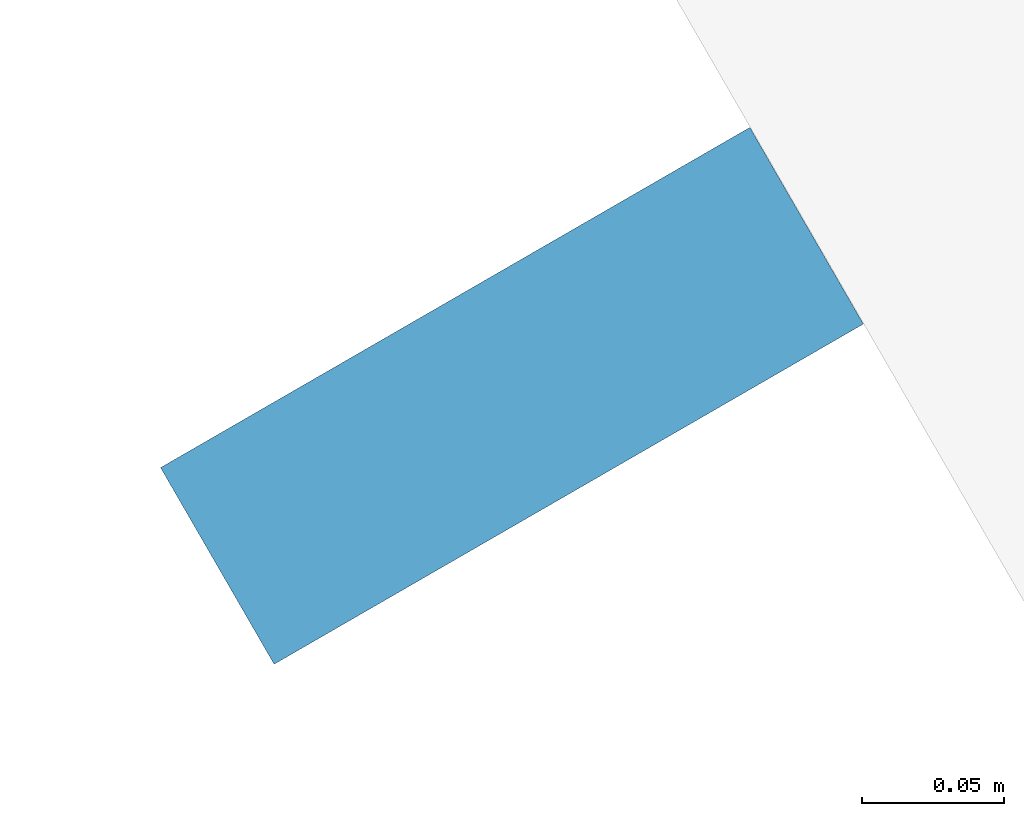
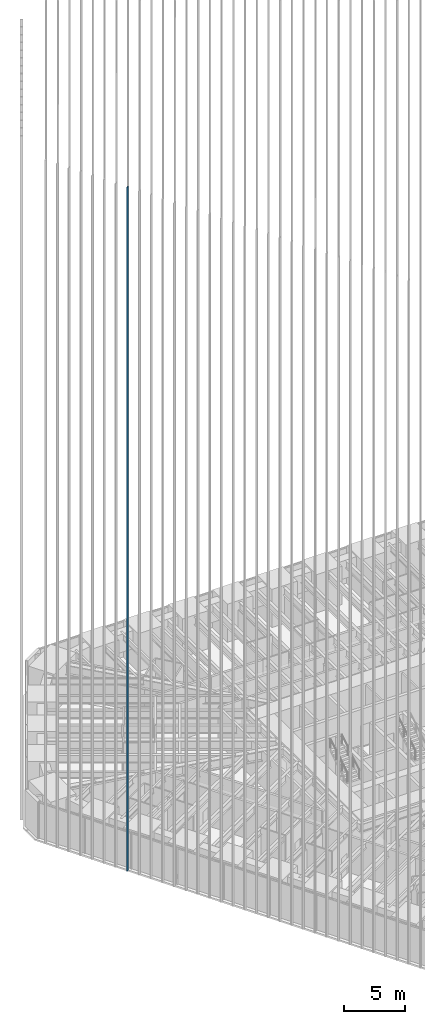
# One storey, part 54 of 256: 1 member, 1 element without a shape of its own.
"""IFC4 building model written with IfcOpenShell, lengths in metres."""

from ifc_helpers import new_model, si_unit, direction, frame, origin, origin_2d, place, context, subcontext, project, spatial, rectangle, extrude, material, material_profile, profile_set, type_object, element, aggregate, save


model = new_model("IFC4")

# Units and contexts
model_context = context("Model", 3, precision=1e-05, world=origin(), true_north=direction((0.0, 1.0)))
body_context = subcontext(model_context, "Body", "Model", "MODEL_VIEW")
ifc_project = project(units=[si_unit("LENGTHUNIT", "METRE"), si_unit("AREAUNIT", "SQUARE_METRE"), si_unit("VOLUMEUNIT", "CUBIC_METRE"), si_unit("PLANEANGLEUNIT", "RADIAN"), si_unit("MASSUNIT", "GRAM", prefix="KILO")], contexts=[model_context])

# Site, building, storey
site_placement = place(None, origin())
site = spatial("IfcSite", under=ifc_project, at=site_placement, CompositionType="ELEMENT")
building_placement = place(site_placement, origin())
building = spatial("IfcBuilding", under=site, at=building_placement, Name="Sandreach Pilgrim Tower", CompositionType="ELEMENT")
storey_placement = place(building_placement, frame((0.0, 0.0, 23.0)))
storey = spatial("IfcBuildingStorey", under=building, at=storey_placement, Name="L04", CompositionType="ELEMENT", Elevation=23.0)

# Curtain wall, member
ifc_material_1 = material(Name="Aluminium framed curtain wall", Category="aluminium")
curtain_wall_type = type_object("IfcCurtainWallType", Name="Hostel tower curtain wall", PredefinedType="NOTDEFINED", material=ifc_material_1)
curtain_wall_placement = place(storey_placement, origin())
curtain_wall = element("IfcCurtainWall", 1, at=curtain_wall_placement, inside=storey, type_object=curtain_wall_type, Name="CW-1 L04 SW", PredefinedType="NOTDEFINED")
ifc_material_2 = material(Name="Extruded terracotta on aluminium core", Category="masonry")
ifc_material_profile = material_profile(ifc_material_2, rectangle(XDim=0.080078125, YDim=0.239990234375, at=origin_2d()), Name="TBW 80X240")
ifc_profile_set = profile_set([ifc_material_profile], Name="Extruded terracotta on aluminium core")
member_type = type_object("IfcMemberType", Name="Terracotta baguette west", PredefinedType="USERDEFINED", material=ifc_profile_set)
member_placement = place(storey_placement, frame((-26.6357421875, -2.60302734375, 0.0), z_axis=(0.0, 0.0, 1.0), x_axis=(-0.5, 0.866025403784, 0.0)))
member = element("IfcMember", 2, at=member_placement, type_object=member_type, Name="Baguette Z1 SW28", ObjectType="BAGUETTE", PredefinedType="USERDEFINED", context=body_context, shape_type="SweptSolid", body=[
    extrude(rectangle(XDim=0.080078125, YDim=0.239990234375, at=origin_2d()), origin(), (0.0, 0.0, 1.0), 68.239990234375),
])
aggregate(curtain_wall, [member])

save(model, "model.ifc")
